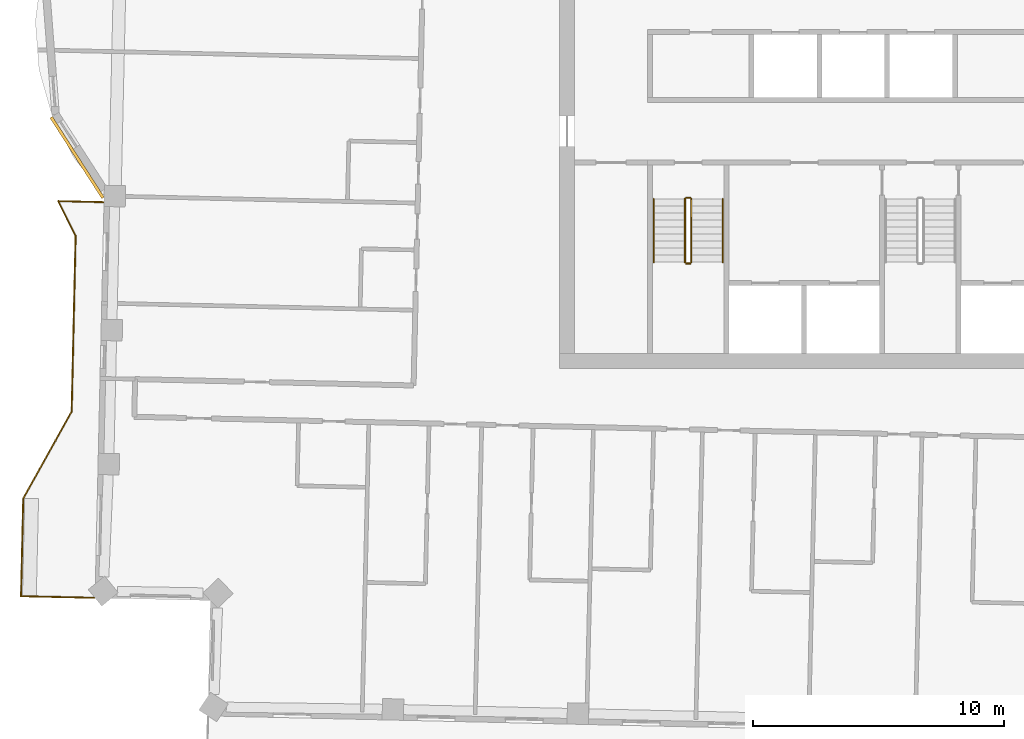
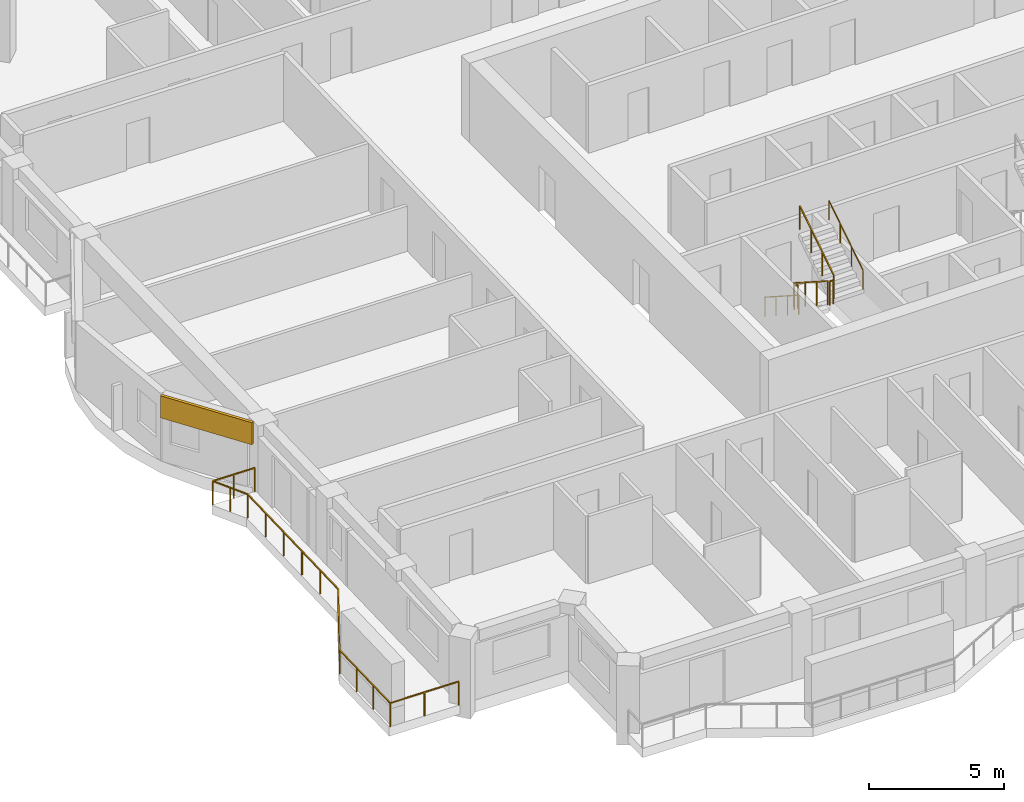
# One storey, part 12 of 15: 7 railings, 1 covering.
"""IFC4 building model written with IfcOpenShell, lengths in metres."""

from ifc_helpers import new_model, si_unit, direction, frame, frame_2d, origin, origin_2d, place, context, subcontext, project, spatial, rectangle, circle, extrude, material, layer, layer_set, type_object, element, save


model = new_model("IFC4")

# Units and contexts
model_context = context("Model", 3, precision=1e-05, world=origin(), true_north=direction((0.0, 1.0)))
body_context = subcontext(model_context, "Body", "Model", "MODEL_VIEW")
ifc_project = project(units=[si_unit("LENGTHUNIT", "METRE"), si_unit("AREAUNIT", "SQUARE_METRE"), si_unit("VOLUMEUNIT", "CUBIC_METRE"), si_unit("PLANEANGLEUNIT", "RADIAN"), si_unit("MASSUNIT", "GRAM", prefix="KILO")], contexts=[model_context])

# Site, building, storey
site_placement = place(None, origin())
site = spatial("IfcSite", under=ifc_project, at=site_placement, CompositionType="ELEMENT")
building_placement = place(site_placement, origin())
building = spatial("IfcBuilding", under=site, at=building_placement, Name="Mangrove Gate Tower", CompositionType="ELEMENT")
storey_placement = place(building_placement, frame((0.0, 0.0, 316.89990234375)))
storey = spatial("IfcBuildingStorey", under=building, at=storey_placement, Name="L81", CompositionType="ELEMENT", Elevation=316.89990234375)

# Railings
ifc_material_1 = material(Name="Stainless steel grade 316 with laminated glass infill", Category="steel")
railing_type_1 = type_object("IfcRailingType", Name="Balcony guard 1100", PredefinedType="GUARDRAIL", material=ifc_material_1)
railing_1_placement = place(storey_placement, frame((-32.593994140625, -4.77392578125, 0.0)))
element("IfcRailing", 1, at=railing_1_placement, inside=storey, type_object=railing_type_1, Name="GUARD L81 W2", PredefinedType="GUARDRAIL", context=body_context, shape_type="SweptSolid", body=[
    extrude(rectangle(XDim=0.048095703125, YDim=0.048095703125, at=origin_2d()), frame((0.0, 0.0, 1.076171875), z_axis=(-0.999736374059, 0.02296045261, 0.0), x_axis=(-0.02296045261, -0.999736374059, 0.0)), (0.0, 0.0, 1.0), 1.786376953125),
    extrude(rectangle(XDim=0.048095703125, YDim=0.048095703125, at=origin_2d()), frame((-1.785888671875, 0.041015625, 1.076171875), z_axis=(0.44683674338, -0.894615517843, 0.0), x_axis=(0.894615517843, 0.44683674338, 0.0)), (0.0, 0.0, 1.0), 1.554931640625),
    extrude(rectangle(XDim=0.048095703125, YDim=0.048095703125, at=origin_2d()), frame((-1.091064453125, -1.35009765625, 1.076171875), z_axis=(-0.022566119286, -0.999745352708, 0.0), x_axis=(0.999745352708, -0.022566119286, 0.0)), (0.0, 0.0, 1.0), 6.999755859375),
    extrude(rectangle(XDim=0.048095703125, YDim=0.048095703125, at=origin_2d()), frame((-1.2490234375, -8.34814453125, 1.076171875), z_axis=(-0.487155136876, -0.873315448515, 0.0), x_axis=(0.873315448515, -0.487155136876, 0.0)), (0.0, 0.0, 1.0), 3.959716796875),
    extrude(rectangle(XDim=0.048095703125, YDim=0.048095703125, at=origin_2d()), frame((-3.177978515625, -11.80615234375, 1.076171875), z_axis=(-0.022849386682, -0.999738918682, 0.0), x_axis=(0.999738918682, -0.022849386682, 0.0)), (0.0, 0.0, 1.0), 3.89990234375),
    extrude(rectangle(XDim=0.048095703125, YDim=0.048095703125, at=origin_2d()), frame((-3.26708984375, -15.705078125, 1.076171875), z_axis=(0.999750936541, -0.022317367331, 0.0), x_axis=(0.022317367331, 0.999750936541, 0.0)), (0.0, 0.0, 1.0), 2.909912109375),
    extrude(rectangle(XDim=0.0419921875, YDim=0.0419921875, at=origin_2d()), origin(), (0.0, 0.0, 1.0), 1.052001953125),
    extrude(rectangle(XDim=0.0419921875, YDim=0.0419921875, at=origin_2d()), frame((-0.89306640625, 0.0205078125, 0.0)), (0.0, 0.0, 1.0), 1.052001953125),
    extrude(rectangle(XDim=0.0419921875, YDim=0.0419921875, at=origin_2d()), frame((-1.785888671875, 0.041015625, 0.0)), (0.0, 0.0, 1.0), 1.052001953125),
    extrude(rectangle(XDim=0.0419921875, YDim=0.0419921875, at=origin_2d()), frame((-1.4384765625, -0.654541015625, 0.0)), (0.0, 0.0, 1.0), 1.052001953125),
    extrude(rectangle(XDim=0.0419921875, YDim=0.0419921875, at=origin_2d()), frame((-1.091064453125, -1.35009765625, 0.0)), (0.0, 0.0, 1.0), 1.052001953125),
    extrude(rectangle(XDim=0.0419921875, YDim=0.0419921875, at=origin_2d()), frame((-1.12255859375, -2.749755859375, 0.0)), (0.0, 0.0, 1.0), 1.052001953125),
    extrude(rectangle(XDim=0.0419921875, YDim=0.0419921875, at=origin_2d()), frame((-1.154296875, -4.1494140625, 0.0)), (0.0, 0.0, 1.0), 1.052001953125),
    extrude(rectangle(XDim=0.0419921875, YDim=0.0419921875, at=origin_2d()), frame((-1.185791015625, -5.548828125, 0.0)), (0.0, 0.0, 1.0), 1.052001953125),
    extrude(rectangle(XDim=0.0419921875, YDim=0.0419921875, at=origin_2d()), frame((-1.217529296875, -6.948486328125, 0.0)), (0.0, 0.0, 1.0), 1.052001953125),
    extrude(rectangle(XDim=0.0419921875, YDim=0.0419921875, at=origin_2d()), frame((-1.2490234375, -8.34814453125, 0.0)), (0.0, 0.0, 1.0), 1.052001953125),
    extrude(rectangle(XDim=0.0419921875, YDim=0.0419921875, at=origin_2d()), frame((-1.89208984375, -9.500732421875, 0.0)), (0.0, 0.0, 1.0), 1.052001953125),
    extrude(rectangle(XDim=0.0419921875, YDim=0.0419921875, at=origin_2d()), frame((-2.534912109375, -10.653564453125, 0.0)), (0.0, 0.0, 1.0), 1.052001953125),
    extrude(rectangle(XDim=0.0419921875, YDim=0.0419921875, at=origin_2d()), frame((-3.177978515625, -11.80615234375, 0.0)), (0.0, 0.0, 1.0), 1.052001953125),
    extrude(rectangle(XDim=0.0419921875, YDim=0.0419921875, at=origin_2d()), frame((-3.207763671875, -13.105712890625, 0.0)), (0.0, 0.0, 1.0), 1.052001953125),
    extrude(rectangle(XDim=0.0419921875, YDim=0.0419921875, at=origin_2d()), frame((-3.2373046875, -14.405517578125, 0.0)), (0.0, 0.0, 1.0), 1.052001953125),
    extrude(rectangle(XDim=0.0419921875, YDim=0.0419921875, at=origin_2d()), frame((-3.26708984375, -15.705078125, 0.0)), (0.0, 0.0, 1.0), 1.052001953125),
    extrude(rectangle(XDim=0.0419921875, YDim=0.0419921875, at=origin_2d()), frame((-1.8125, -15.737548828125, 0.0)), (0.0, 0.0, 1.0), 1.052001953125),
    extrude(rectangle(XDim=0.0419921875, YDim=0.0419921875, at=origin_2d()), frame((-0.35791015625, -15.77001953125, 0.0)), (0.0, 0.0, 1.0), 1.052001953125),
])
ifc_material_2 = material(Name="Stainless steel 316", Category="steel")
railing_type_2 = type_object("IfcRailingType", Name="Core stair guard 1100", PredefinedType="GUARDRAIL", material=ifc_material_2)
railing_2_placement = place(storey_placement, frame((-9.39990234375, -4.64990234375, 0.18017578125)))
element("IfcRailing", 2, at=railing_2_placement, inside=storey, type_object=railing_type_2, Name="L81 ST1 stair guard 1", PredefinedType="GUARDRAIL", context=body_context, shape_type="SweptSolid", body=[
    extrude(rectangle(XDim=0.048095703125, YDim=0.048095703125, at=origin_2d()), frame((0.0, 0.0, 1.076171875), z_axis=(0.0, -0.841199657755, 0.540724639528), x_axis=(1.0, 0.0, 0.0)), (0.0, 0.0, 1.0), 2.995849609375),
    extrude(rectangle(XDim=0.0419921875, YDim=0.0419921875, at=origin_2d()), origin(), (0.0, 0.0, 1.0), 1.052001953125),
    extrude(rectangle(XDim=0.0419921875, YDim=0.0419921875, at=origin_2d()), frame((0.0, -0.840087890625, 0.5400390625)), (0.0, 0.0, 1.0), 1.052001953125),
    extrude(rectangle(XDim=0.0419921875, YDim=0.0419921875, at=origin_2d()), frame((0.0, -1.679931640625, 1.079833984375)), (0.0, 0.0, 1.0), 1.052001953125),
    extrude(rectangle(XDim=0.0419921875, YDim=0.0419921875, at=origin_2d()), frame((0.0, -2.52001953125, 1.619873046875)), (0.0, 0.0, 1.0), 1.052001953125),
])
railing_3_placement = place(storey_placement, frame((-9.35009765625, -7.219970703125, 1.800048828125)))
element("IfcRailing", 3, at=railing_3_placement, inside=storey, type_object=railing_type_2, Name="L81 ST1 stair guard 2", PredefinedType="GUARDRAIL", context=body_context, shape_type="SweptSolid", body=[
    extrude(rectangle(XDim=0.048095703125, YDim=0.048095703125, at=origin_2d()), frame((0.0, 0.0, 1.076171875), z_axis=(1.0, 0.0, 0.0), x_axis=(0.0, 1.0, 0.0)), (0.0, 0.0, 1.0), 0.150146484375),
    extrude(rectangle(XDim=0.0419921875, YDim=0.0419921875, at=origin_2d()), origin(), (0.0, 0.0, 1.0), 1.052001953125),
    extrude(rectangle(XDim=0.0419921875, YDim=0.0419921875, at=origin_2d()), frame((0.150146484375, 0.0, 0.0)), (0.0, 0.0, 1.0), 1.052001953125),
])
railing_4_placement = place(storey_placement, frame((-9.14990234375, -7.169921875, 1.97998046875)))
element("IfcRailing", 4, at=railing_4_placement, inside=storey, type_object=railing_type_2, Name="L81 ST1 stair guard 3", PredefinedType="GUARDRAIL", context=body_context, shape_type="SweptSolid", body=[
    extrude(rectangle(XDim=0.048095703125, YDim=0.048095703125, at=origin_2d()), frame((0.0, 0.0, 1.076171875), z_axis=(0.0, 0.841162588446, 0.540782303519), x_axis=(-1.0, 0.0, 0.0)), (0.0, 0.0, 1.0), 2.995849609375),
    extrude(rectangle(XDim=0.0419921875, YDim=0.0419921875, at=origin_2d()), origin(), (0.0, 0.0, 1.0), 1.052001953125),
    extrude(rectangle(XDim=0.0419921875, YDim=0.0419921875, at=origin_2d()), frame((0.0, 0.840087890625, 0.5400390625)), (0.0, 0.0, 1.0), 1.052001953125),
    extrude(rectangle(XDim=0.0419921875, YDim=0.0419921875, at=origin_2d()), frame((0.0, 1.679931640625, 1.080078125)), (0.0, 0.0, 1.0), 1.052001953125),
    extrude(rectangle(XDim=0.0419921875, YDim=0.0419921875, at=origin_2d()), frame((0.0, 2.52001953125, 1.6201171875)), (0.0, 0.0, 1.0), 1.052001953125),
])
railing_5_placement = place(storey_placement, frame((-9.35009765625, -4.60009765625, 0.0)))
element("IfcRailing", 5, at=railing_5_placement, inside=storey, type_object=railing_type_2, Name="L81 ST1 stair guard 4", PredefinedType="GUARDRAIL", context=body_context, shape_type="SweptSolid", body=[
    extrude(rectangle(XDim=0.048095703125, YDim=0.048095703125, at=origin_2d()), frame((0.0, 0.0, 1.076171875), z_axis=(1.0, 0.0, 0.0), x_axis=(0.0, 1.0, 0.0)), (0.0, 0.0, 1.0), 0.150146484375),
    extrude(rectangle(XDim=0.0419921875, YDim=0.0419921875, at=origin_2d()), origin(), (0.0, 0.0, 1.0), 1.052001953125),
    extrude(rectangle(XDim=0.0419921875, YDim=0.0419921875, at=origin_2d()), frame((0.150146484375, 0.0, 0.0)), (0.0, 0.0, 1.0), 1.052001953125),
])
ifc_material_3 = material(Name="Stainless steel 316", Category="steel")
railing_type_3 = type_object("IfcRailingType", Name="Core stair handrail 900", PredefinedType="HANDRAIL", material=ifc_material_3)
railing_6_placement = place(storey_placement, frame((-10.64990234375, -4.64990234375, 0.18017578125)))
element("IfcRailing", 6, at=railing_6_placement, inside=storey, type_object=railing_type_3, Name="L81 ST1 stair handrail 1", PredefinedType="HANDRAIL", context=body_context, shape_type="SweptSolid", body=[
    extrude(circle(Radius=0.02392578125, at=origin_2d()), frame((0.0, 0.0, 0.8759765625), z_axis=(0.0, -0.841199657755, 0.540724639528), x_axis=(1.0, 0.0, 0.0)), (0.0, 0.0, 1.0), 2.995849609375),
    extrude(circle(Radius=0.02099609375, at=origin_2d()), origin(), (0.0, 0.0, 1.0), 0.851806640625),
    extrude(circle(Radius=0.02099609375, at=origin_2d()), frame((0.0, -0.840087890625, 0.5400390625)), (0.0, 0.0, 1.0), 0.851806640625),
    extrude(circle(Radius=0.02099609375, at=origin_2d()), frame((0.0, -1.679931640625, 1.079833984375)), (0.0, 0.0, 1.0), 0.851806640625),
    extrude(circle(Radius=0.02099609375, at=origin_2d()), frame((0.0, -2.52001953125, 1.619873046875)), (0.0, 0.0, 1.0), 0.851806640625),
])
railing_7_placement = place(storey_placement, frame((-7.89990234375, -7.169921875, 1.97998046875)))
element("IfcRailing", 7, at=railing_7_placement, inside=storey, type_object=railing_type_3, Name="L81 ST1 stair handrail 2", PredefinedType="HANDRAIL", context=body_context, shape_type="SweptSolid", body=[
    extrude(circle(Radius=0.02392578125, at=origin_2d()), frame((0.0, 0.0, 0.8759765625), z_axis=(0.0, 0.841162588446, 0.540782303519), x_axis=(-1.0, 0.0, 0.0)), (0.0, 0.0, 1.0), 2.995849609375),
    extrude(circle(Radius=0.02099609375, at=origin_2d()), origin(), (0.0, 0.0, 1.0), 0.851806640625),
    extrude(circle(Radius=0.02099609375, at=origin_2d()), frame((0.0, 0.840087890625, 0.5400390625)), (0.0, 0.0, 1.0), 0.851806640625),
    extrude(circle(Radius=0.02099609375, at=origin_2d()), frame((0.0, 1.679931640625, 1.080078125)), (0.0, 0.0, 1.0), 0.851806640625),
    extrude(circle(Radius=0.02099609375, at=origin_2d()), frame((0.0, 2.52001953125, 1.6201171875)), (0.0, 0.0, 1.0), 0.851806640625),
])

# Covering
ifc_material_4 = material(Name="Limestone", Category="masonry")
ifc_layer_1 = layer(ifc_material_4, 0.0400390625, Name="Limestone cladding")
ifc_material_5 = material(Name="Stainless steel anchors and cavity", Category="steel")
ifc_layer_2 = layer(ifc_material_5, 0.080078125, Name="Fixing cavity")
ifc_layer_set = layer_set([ifc_layer_1, ifc_layer_2], Name="Joint fascia cladding 120")
covering_type = type_object("IfcCoveringType", Name="Joint fascia cladding 120", PredefinedType="CLADDING", material=ifc_layer_set)
covering_placement = place(storey_placement, frame((-34.657958984375, -1.39111328125, 2.050048828125), z_axis=(0.0, 0.0, 1.0), x_axis=(0.540602448732, -0.841278189676, 0.0)))
element("IfcCovering", 8, at=covering_placement, inside=storey, type_object=covering_type, Name="STONE FASCIA L81 W9.L2", PredefinedType="CLADDING", context=body_context, shape_type="SweptSolid", body=[
    extrude(rectangle(XDim=3.81787109375, YDim=0.1201171875, at=frame_2d((1.908935546875, 0.0))), origin(), (0.0, 0.0, 1.0), 1.0),
])

save(model, "model.ifc")
